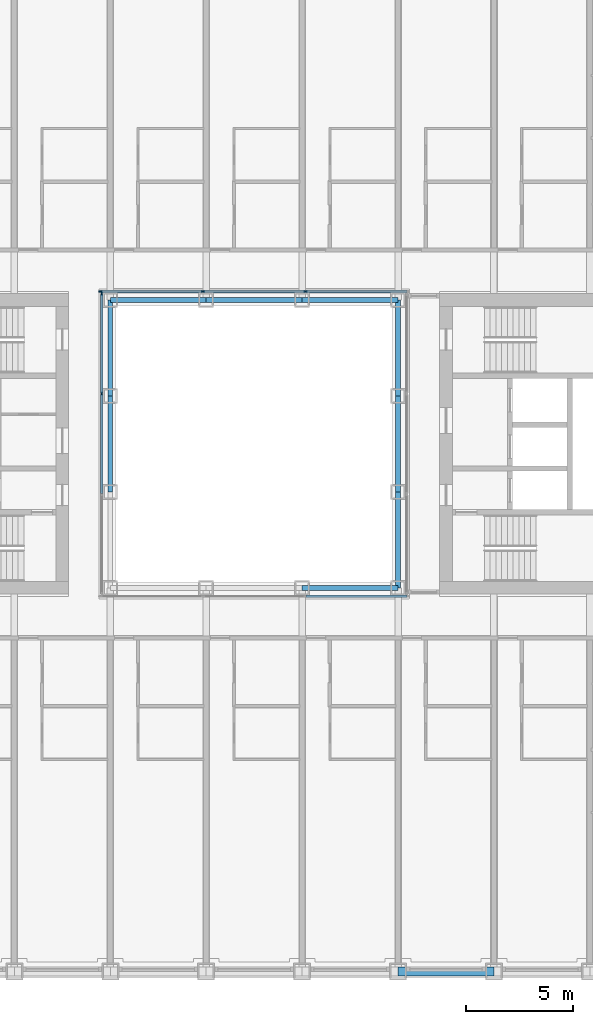
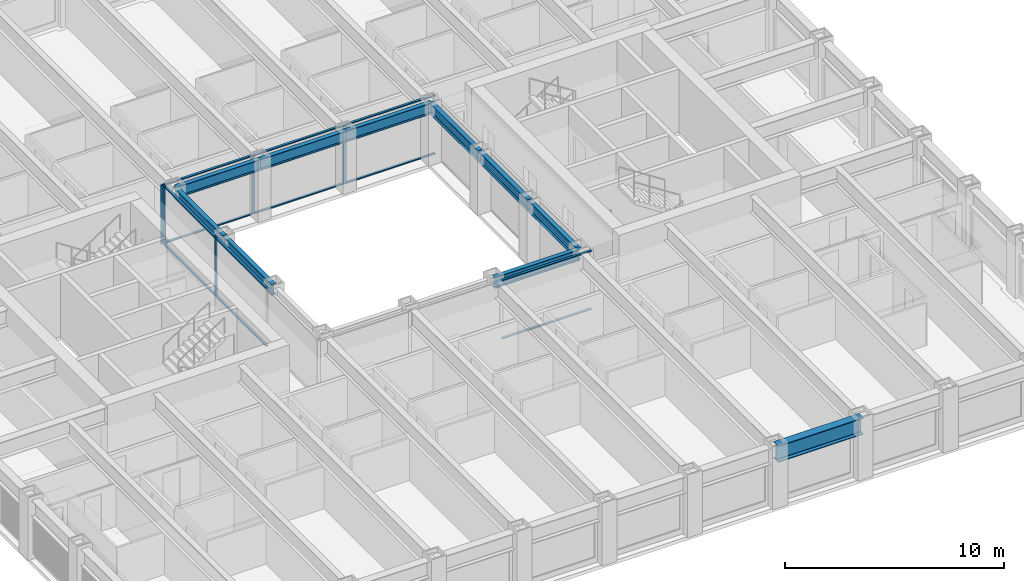
# One storey, part 4 of 21: 17 members, 10 beams, 3 elements without a shape of their own.
"""IFC4 building model written with IfcOpenShell, lengths in metres."""

from ifc_helpers import new_model, si_unit, direction, frame, origin, origin_2d, place, context, subcontext, project, spatial, rectangle, i_section, extrude, material, material_profile, profile_set, type_object, element, aggregate, save


model = new_model("IFC4")

# Units and contexts
model_context = context("Model", 3, precision=1e-05, world=origin(), true_north=direction((0.0, 1.0)))
body_context = subcontext(model_context, "Body", "Model", "MODEL_VIEW")
ifc_project = project(units=[si_unit("LENGTHUNIT", "METRE"), si_unit("AREAUNIT", "SQUARE_METRE"), si_unit("VOLUMEUNIT", "CUBIC_METRE"), si_unit("PLANEANGLEUNIT", "RADIAN"), si_unit("MASSUNIT", "GRAM", prefix="KILO")], contexts=[model_context])

# Site, building, storey
site_placement = place(None, origin())
site = spatial("IfcSite", under=ifc_project, at=site_placement, CompositionType="ELEMENT")
building_placement = place(site_placement, origin())
building = spatial("IfcBuilding", under=site, at=building_placement, Name="Msasa Ring Tower", CompositionType="ELEMENT")
storey_placement = place(building_placement, frame((0.0, 0.0, 33.5)))
storey = spatial("IfcBuildingStorey", under=building, at=storey_placement, Name="L07", CompositionType="ELEMENT", Elevation=33.5)

# Curtain wall, members
ifc_material_1 = material(Name="Aluminium curtain wall with clear glass", Category="aluminium")
curtain_wall_type = type_object("IfcCurtainWallType", Name="CW-W LIGHT WELL CURTAIN WALL", PredefinedType="NOTDEFINED", material=ifc_material_1)
curtain_wall_1_placement = place(storey_placement, origin())
curtain_wall_1 = element("IfcCurtainWall", 1, at=curtain_wall_1_placement, inside=storey, type_object=curtain_wall_type, Name="Light well curtain wall N L07", PredefinedType="NOTDEFINED")
ifc_material_2 = material(Name="Aluminium mullion", Category="aluminium")
ifc_material_profile_1 = material_profile(ifc_material_2, rectangle(XDim=0.06005859375, YDim=0.159912109375, at=origin_2d()), Name="AL 60x160")
ifc_profile_set_1 = profile_set([ifc_material_profile_1], Name="Aluminium mullion")
member_type_1 = type_object("IfcMemberType", Name="CW-W MULLION 60x160", PredefinedType="MULLION", material=ifc_profile_set_1)
member_1_placement = place(storey_placement, frame((-7.199951171875, 7.14990234375, 0.0), z_axis=(0.0, 0.0, 1.0), x_axis=(0.0, 1.0, 0.0)))
member_1 = element("IfcMember", 2, at=member_1_placement, type_object=member_type_1, Name="CW-W mullion 1", PredefinedType="MULLION", context=body_context, shape_type="SweptSolid", body=[
    extrude(rectangle(XDim=0.06005859375, YDim=0.159912109375, at=origin_2d()), origin(), (0.0, 0.0, 1.0), 3.300048828125),
])
member_2_placement = place(storey_placement, frame((-2.409912109375, 7.14990234375, 0.0), z_axis=(0.0, 0.0, 1.0), x_axis=(0.0, 1.0, 0.0)))
member_2 = element("IfcMember", 3, at=member_2_placement, type_object=member_type_1, Name="CW-W mullion 2", PredefinedType="MULLION", context=body_context, shape_type="SweptSolid", body=[
    extrude(rectangle(XDim=0.06005859375, YDim=0.159912109375, at=origin_2d()), origin(), (0.0, 0.0, 1.0), 3.300048828125),
])
member_3_placement = place(storey_placement, frame((2.409912109375, 7.14990234375, 0.0), z_axis=(0.0, 0.0, 1.0), x_axis=(0.0, 1.0, 0.0)))
member_3 = element("IfcMember", 4, at=member_3_placement, type_object=member_type_1, Name="CW-W mullion 3", PredefinedType="MULLION", context=body_context, shape_type="SweptSolid", body=[
    extrude(rectangle(XDim=0.06005859375, YDim=0.159912109375, at=origin_2d()), origin(), (0.0, 0.0, 1.0), 3.300048828125),
])

curtain_wall_2_placement = place(storey_placement, origin())
curtain_wall_2 = element("IfcCurtainWall", 5, at=curtain_wall_2_placement, inside=storey, type_object=curtain_wall_type, Name="Light well curtain wall W L07", PredefinedType="NOTDEFINED")
member_4_placement = place(storey_placement, frame((-7.14990234375, 2.356689453125, 0.0), z_axis=(0.0, 0.0, 1.0), x_axis=(-1.0, 0.0, 0.0)))
member_4 = element("IfcMember", 6, at=member_4_placement, type_object=member_type_1, Name="CW-W mullion 3", PredefinedType="MULLION", context=body_context, shape_type="SweptSolid", body=[
    extrude(rectangle(XDim=0.06005859375, YDim=0.159912109375, at=origin_2d()), origin(), (0.0, 0.0, 1.0), 3.300048828125),
])
member_5_placement = place(storey_placement, frame((-7.14990234375, 7.0400390625, 0.0), z_axis=(0.0, 0.0, 1.0), x_axis=(-1.0, 0.0, 0.0)))
member_5 = element("IfcMember", 7, at=member_5_placement, type_object=member_type_1, Name="CW-W mullion 4", PredefinedType="MULLION", context=body_context, shape_type="SweptSolid", body=[
    extrude(rectangle(XDim=0.06005859375, YDim=0.159912109375, at=origin_2d()), origin(), (0.0, 0.0, 1.0), 3.300048828125),
])

# Member
ifc_material_3 = material(Name="Aluminium transom", Category="aluminium")
ifc_material_profile_2 = material_profile(ifc_material_3, rectangle(XDim=0.1201171875, YDim=0.06005859375, at=origin_2d()), Name="AL 60x120")
ifc_profile_set_2 = profile_set([ifc_material_profile_2], Name="Aluminium transom")
member_type_2 = type_object("IfcMemberType", Name="CW-W TRANSOM 60x120", PredefinedType="USERDEFINED", material=ifc_profile_set_2)
member_6_placement = place(storey_placement, frame((-7.169921875, 7.14990234375, 0.030029296875), z_axis=(1.0, 0.0, 0.0), x_axis=(0.0, 1.0, 0.0)))
member_6 = element("IfcMember", 8, at=member_6_placement, type_object=member_type_2, Name="CW-W transom 1.1", ObjectType="TRANSOM", PredefinedType="USERDEFINED", context=body_context, shape_type="SweptSolid", body=[
    extrude(rectangle(XDim=0.1201171875, YDim=0.06005859375, at=origin_2d()), origin(), (0.0, 0.0, 1.0), 4.72998046875),
])

member_7_placement = place(storey_placement, frame((-7.169921875, 7.14990234375, 3.27001953125), z_axis=(1.0, 0.0, 0.0), x_axis=(0.0, 1.0, 0.0)))
member_7 = element("IfcMember", 9, at=member_7_placement, type_object=member_type_2, Name="CW-W transom 1.2", ObjectType="TRANSOM", PredefinedType="USERDEFINED", context=body_context, shape_type="SweptSolid", body=[
    extrude(rectangle(XDim=0.1201171875, YDim=0.06005859375, at=origin_2d()), origin(), (0.0, 0.0, 1.0), 4.72998046875),
])

member_8_placement = place(storey_placement, frame((-2.3798828125, 7.14990234375, 0.030029296875), z_axis=(1.0, 0.0, 0.0), x_axis=(0.0, 1.0, 0.0)))
member_8 = element("IfcMember", 10, at=member_8_placement, type_object=member_type_2, Name="CW-W transom 2.1", ObjectType="TRANSOM", PredefinedType="USERDEFINED", context=body_context, shape_type="SweptSolid", body=[
    extrude(rectangle(XDim=0.1201171875, YDim=0.06005859375, at=origin_2d()), origin(), (0.0, 0.0, 1.0), 4.759765625),
])

member_9_placement = place(storey_placement, frame((-2.3798828125, 7.14990234375, 3.27001953125), z_axis=(1.0, 0.0, 0.0), x_axis=(0.0, 1.0, 0.0)))
member_9 = element("IfcMember", 11, at=member_9_placement, type_object=member_type_2, Name="CW-W transom 2.2", ObjectType="TRANSOM", PredefinedType="USERDEFINED", context=body_context, shape_type="SweptSolid", body=[
    extrude(rectangle(XDim=0.1201171875, YDim=0.06005859375, at=origin_2d()), origin(), (0.0, 0.0, 1.0), 4.759765625),
])

member_10_placement = place(storey_placement, frame((2.43994140625, 7.14990234375, 0.030029296875), z_axis=(1.0, 0.0, 0.0), x_axis=(0.0, 1.0, 0.0)))
member_10 = element("IfcMember", 12, at=member_10_placement, type_object=member_type_2, Name="CW-W transom 3.1", ObjectType="TRANSOM", PredefinedType="USERDEFINED", context=body_context, shape_type="SweptSolid", body=[
    extrude(rectangle(XDim=0.1201171875, YDim=0.06005859375, at=origin_2d()), origin(), (0.0, 0.0, 1.0), 4.72998046875),
])

member_11_placement = place(storey_placement, frame((2.43994140625, 7.14990234375, 3.27001953125), z_axis=(1.0, 0.0, 0.0), x_axis=(0.0, 1.0, 0.0)))
member_11 = element("IfcMember", 13, at=member_11_placement, type_object=member_type_2, Name="CW-W transom 3.2", ObjectType="TRANSOM", PredefinedType="USERDEFINED", context=body_context, shape_type="SweptSolid", body=[
    extrude(rectangle(XDim=0.1201171875, YDim=0.06005859375, at=origin_2d()), origin(), (0.0, 0.0, 1.0), 4.72998046875),
])

aggregate(curtain_wall_1, [member_1, member_2, member_3, member_6, member_7, member_8, member_9, member_10, member_11])

# Curtain wall, members
curtain_wall_3_placement = place(storey_placement, origin())
curtain_wall_3 = element("IfcCurtainWall", 14, at=curtain_wall_3_placement, inside=storey, type_object=curtain_wall_type, Name="Light well curtain wall S L07", PredefinedType="NOTDEFINED")
member_12_placement = place(storey_placement, frame((2.43994140625, -7.14990234375, 0.030029296875), z_axis=(1.0, 0.0, 0.0), x_axis=(0.0, 1.0, 0.0)))
member_12 = element("IfcMember", 15, at=member_12_placement, type_object=member_type_2, Name="CW-W transom 3.1", ObjectType="TRANSOM", PredefinedType="USERDEFINED", context=body_context, shape_type="SweptSolid", body=[
    extrude(rectangle(XDim=0.1201171875, YDim=0.06005859375, at=origin_2d()), origin(), (0.0, 0.0, 1.0), 4.72998046875),
])
member_13_placement = place(storey_placement, frame((2.43994140625, -7.14990234375, 3.27001953125), z_axis=(1.0, 0.0, 0.0), x_axis=(0.0, 1.0, 0.0)))
member_13 = element("IfcMember", 16, at=member_13_placement, type_object=member_type_2, Name="CW-W transom 3.2", ObjectType="TRANSOM", PredefinedType="USERDEFINED", context=body_context, shape_type="SweptSolid", body=[
    extrude(rectangle(XDim=0.1201171875, YDim=0.06005859375, at=origin_2d()), origin(), (0.0, 0.0, 1.0), 4.72998046875),
])
aggregate(curtain_wall_3, [member_12, member_13])

# Member
member_14_placement = place(storey_placement, frame((-7.14990234375, -2.32666015625, 0.030029296875), z_axis=(0.0, 1.0, 0.0), x_axis=(-1.0, 0.0, 0.0)))
member_14 = element("IfcMember", 17, at=member_14_placement, type_object=member_type_2, Name="CW-W transom 2.1", ObjectType="TRANSOM", PredefinedType="USERDEFINED", context=body_context, shape_type="SweptSolid", body=[
    extrude(rectangle(XDim=0.1201171875, YDim=0.06005859375, at=origin_2d()), origin(), (0.0, 0.0, 1.0), 4.6533203125),
])

member_15_placement = place(storey_placement, frame((-7.14990234375, -2.32666015625, 3.27001953125), z_axis=(0.0, 1.0, 0.0), x_axis=(-1.0, 0.0, 0.0)))
member_15 = element("IfcMember", 18, at=member_15_placement, type_object=member_type_2, Name="CW-W transom 2.2", ObjectType="TRANSOM", PredefinedType="USERDEFINED", context=body_context, shape_type="SweptSolid", body=[
    extrude(rectangle(XDim=0.1201171875, YDim=0.06005859375, at=origin_2d()), origin(), (0.0, 0.0, 1.0), 4.6533203125),
])

member_16_placement = place(storey_placement, frame((-7.14990234375, 2.38671875, 0.030029296875), z_axis=(0.0, 1.0, 0.0), x_axis=(-1.0, 0.0, 0.0)))
member_16 = element("IfcMember", 19, at=member_16_placement, type_object=member_type_2, Name="CW-W transom 3.1", ObjectType="TRANSOM", PredefinedType="USERDEFINED", context=body_context, shape_type="SweptSolid", body=[
    extrude(rectangle(XDim=0.1201171875, YDim=0.06005859375, at=origin_2d()), origin(), (0.0, 0.0, 1.0), 4.623291015625),
])

member_17_placement = place(storey_placement, frame((-7.14990234375, 2.38671875, 3.27001953125), z_axis=(0.0, 1.0, 0.0), x_axis=(-1.0, 0.0, 0.0)))
member_17 = element("IfcMember", 20, at=member_17_placement, type_object=member_type_2, Name="CW-W transom 3.2", ObjectType="TRANSOM", PredefinedType="USERDEFINED", context=body_context, shape_type="SweptSolid", body=[
    extrude(rectangle(XDim=0.1201171875, YDim=0.06005859375, at=origin_2d()), origin(), (0.0, 0.0, 1.0), 4.623291015625),
])

aggregate(curtain_wall_2, [member_4, member_5, member_14, member_15, member_16, member_17])

# Beams
ifc_material_4 = material(Name="Steel S355", Category="steel")
ifc_material_profile_3 = material_profile(ifc_material_4, i_section(OverallWidth=0.230224609375, OverallDepth=0.6171875, WebThickness=0.01318359375, FlangeThickness=0.022216796875, FilletRadius=0.0126953125, at=origin_2d()), Name="UB 610x229x140")
ifc_profile_set_3 = profile_set([ifc_material_profile_3], Name="Steel S355")
beam_type_1 = type_object("IfcBeamType", Name="RB1 UB 610x229x140", PredefinedType="BEAM", material=ifc_profile_set_3)
for number, where, z_axis, x_axis, name in (
    (21, (2.25, -6.75, 2.991455078125), (1.0, 0.0, 0.0), (0.0, 1.0, 0.0), "Inner ring beam IR+2.25-6.75 under L08"),
    (22, (6.75, -6.75, 2.991455078125), (0.0, 1.0, 0.0), (-1.0, 0.0, 0.0), "Inner ring beam IR+6.75-6.75 under L08"),
    (23, (6.75, -2.25, 2.991455078125), (0.0, 1.0, 0.0), (-1.0, 0.0, 0.0), "Inner ring beam IR+6.75-2.25 under L08"),
    (24, (6.75, 2.25, 2.991455078125), (0.0, 1.0, 0.0), (-1.0, 0.0, 0.0), "Inner ring beam IR+6.75+2.25 under L08"),
    (25, (6.75, 6.75, 2.991455078125), (-1.0, 0.0, 0.0), (0.0, -1.0, 0.0), "Inner ring beam IR+6.75+6.75 under L08"),
    (26, (2.25, 6.75, 2.991455078125), (-1.0, 0.0, 0.0), (0.0, -1.0, 0.0), "Inner ring beam IR+2.25+6.75 under L08"),
    (27, (-2.25, 6.75, 2.991455078125), (-1.0, 0.0, 0.0), (0.0, -1.0, 0.0), "Inner ring beam IR-2.25+6.75 under L08"),
    (28, (-6.75, 6.75, 2.991455078125), (0.0, -1.0, 0.0), (1.0, 0.0, 0.0), "Inner ring beam IR-6.75+6.75 under L08"),
    (29, (-6.75, 2.25, 2.991455078125), (0.0, -1.0, 0.0), (1.0, 0.0, 0.0), "Inner ring beam IR-6.75+2.25 under L08"),
):
    element("IfcBeam", number, at=place(storey_placement, frame(where, z_axis=z_axis, x_axis=x_axis)), inside=storey, type_object=beam_type_1, Name=name, PredefinedType="BEAM", context=body_context, shape_type="SweptSolid", body=[
        extrude(i_section(OverallWidth=0.230224609375, OverallDepth=0.6171875, WebThickness=0.01318359375, FlangeThickness=0.022216796875, FilletRadius=0.0126953125, at=origin_2d()), origin(), (0.0, 0.0, 1.0), 4.5),
    ])
ifc_material_5 = material(Name="Steel S355", Category="steel")
ifc_material_profile_4 = material_profile(ifc_material_5, i_section(OverallWidth=0.42041015625, OverallDepth=0.9208984375, WebThickness=0.021484375, FlangeThickness=0.03662109375, FilletRadius=0.024169921875, at=origin_2d()), Name="UB 914x419x388")
ifc_profile_set_4 = profile_set([ifc_material_profile_4], Name="Steel S355")
beam_type_2 = type_object("IfcBeamType", Name="SB1 UB 914x419x388", PredefinedType="SPANDREL", material=ifc_profile_set_4)
beam_placement = place(storey_placement, frame((6.75, -24.75, 2.839599609375), z_axis=(1.0, 0.0, 0.0), x_axis=(0.0, 1.0, 0.0)))
element("IfcBeam", 30, at=beam_placement, inside=storey, type_object=beam_type_2, Name="Spandrel S+6.75 to S+11.25 under L08", PredefinedType="SPANDREL", context=body_context, shape_type="SweptSolid", body=[
    extrude(i_section(OverallWidth=0.42041015625, OverallDepth=0.9208984375, WebThickness=0.021484375, FlangeThickness=0.03662109375, FilletRadius=0.024169921875, at=origin_2d()), origin(), (0.0, 0.0, 1.0), 4.5),
])

save(model, "model.ifc")
